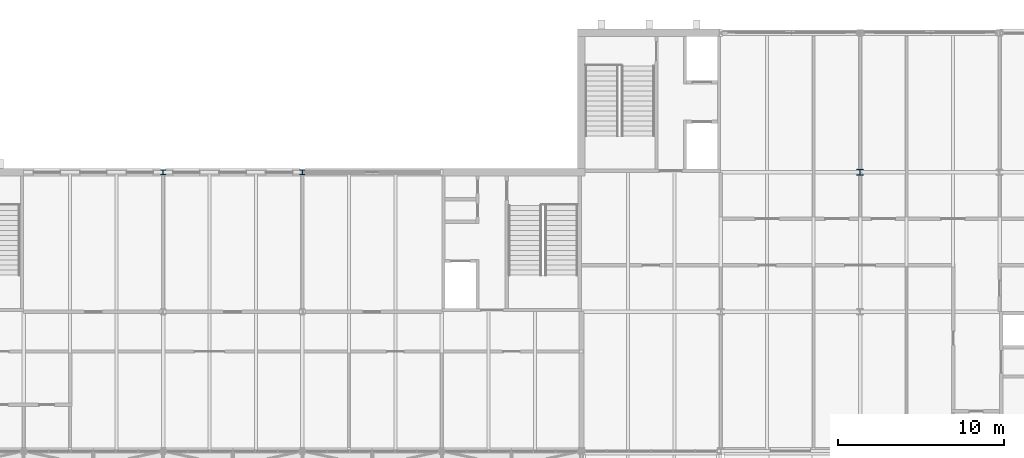
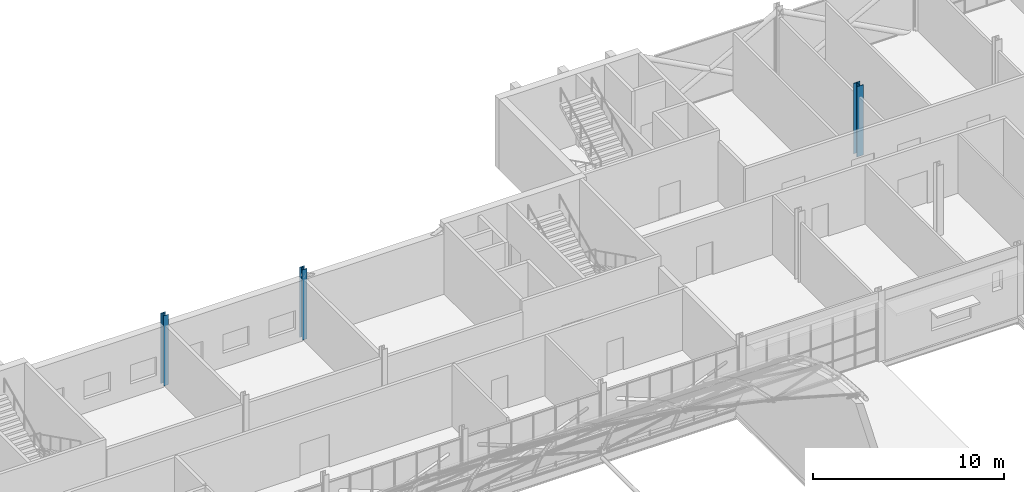
# One storey, part 5 of 121: 3 columns.
"""IFC4 building model written with IfcOpenShell, lengths in metres."""

from ifc_helpers import new_model, si_unit, direction, frame, origin, origin_2d, place, context, subcontext, project, spatial, i_section, extrude, material, material_profile, profile_set, type_object, element, save


model = new_model("IFC4")

# Units and contexts
model_context = context("Model", 3, precision=1e-05, world=origin(), true_north=direction((0.0, 1.0)))
body_context = subcontext(model_context, "Body", "Model", "MODEL_VIEW")
ifc_project = project(units=[si_unit("LENGTHUNIT", "METRE"), si_unit("AREAUNIT", "SQUARE_METRE"), si_unit("VOLUMEUNIT", "CUBIC_METRE"), si_unit("PLANEANGLEUNIT", "RADIAN"), si_unit("MASSUNIT", "GRAM", prefix="KILO")], contexts=[model_context])

# Site, building, storey
site_placement = place(None, origin())
site = spatial("IfcSite", under=ifc_project, at=site_placement, CompositionType="ELEMENT")
building_placement = place(site_placement, origin())
building = spatial("IfcBuilding", under=site, at=building_placement, Name="Ardhachandra Cancer Care Centre", CompositionType="ELEMENT")
storey_placement = place(building_placement, frame((0.0, 0.0, 9.0)))
storey = spatial("IfcBuildingStorey", under=building, at=storey_placement, Name="L02", CompositionType="ELEMENT", Elevation=9.0)

# Columns
ifc_material_1 = material(Name="Steel E350 (IS 2062)", Category="steel")
ifc_material_profile_1 = material_profile(ifc_material_1, i_section(OverallWidth=0.300048828125, OverallDepth=0.300048828125, WebThickness=0.010986328125, FlangeThickness=0.01904296875, FilletRadius=0.027099609375, at=origin_2d()), Name="WPB 300x300x117.03")
ifc_profile_set_1 = profile_set([ifc_material_profile_1], Name="Steel E350 (IS 2062)")
column_type_1 = type_object("IfcColumnType", Name="Column WPB 300x300x117.03", PredefinedType="COLUMN", material=ifc_profile_set_1)
for number, where, z_axis, x_axis, name in (
    (1, (86.39990234375, 96.60009765625, 0.0), (0.0, 0.0, 1.0), (1.0, 0.0, 0.0), "Column L10 L02"),
    (2, (94.800048828125, 96.60009765625, 0.0), (0.0, 0.0, 1.0), (1.0, 0.0, 0.0), "Column L11 L02"),
):
    element("IfcColumn", number, at=place(storey_placement, frame(where, z_axis=z_axis, x_axis=x_axis)), inside=storey, type_object=column_type_1, Name=name, PredefinedType="COLUMN", context=body_context, shape_type="SweptSolid", body=[
        extrude(i_section(OverallWidth=0.300048828125, OverallDepth=0.300048828125, WebThickness=0.010986328125, FlangeThickness=0.01904296875, FilletRadius=0.027099609375, at=origin_2d()), origin(), (0.0, 0.0, 1.0), 4.5),
    ])
ifc_material_2 = material(Name="Steel E350 (IS 2062)", Category="steel")
ifc_material_profile_2 = material_profile(ifc_material_2, i_section(OverallWidth=0.39501953125, OverallDepth=0.3798828125, WebThickness=0.018798828125, FlangeThickness=0.0302734375, FilletRadius=0.027099609375, at=origin_2d()), Name="WPB 400x400x239.62")
ifc_profile_set_2 = profile_set([ifc_material_profile_2], Name="Steel E350 (IS 2062)")
column_type_2 = type_object("IfcColumnType", Name="Column WPB 400x400x239.62", PredefinedType="COLUMN", material=ifc_profile_set_2)
column_placement = place(storey_placement, frame((128.39990234375, 96.60009765625, 0.0), z_axis=(0.0, 0.0, 1.0), x_axis=(1.0, 0.0, 0.0)))
element("IfcColumn", 3, at=column_placement, inside=storey, type_object=column_type_2, Name="Column L15 L02", PredefinedType="COLUMN", context=body_context, shape_type="SweptSolid", body=[
    extrude(i_section(OverallWidth=0.39501953125, OverallDepth=0.3798828125, WebThickness=0.018798828125, FlangeThickness=0.0302734375, FilletRadius=0.027099609375, at=origin_2d()), origin(), (0.0, 0.0, 1.0), 4.5),
])

save(model, "model.ifc")
